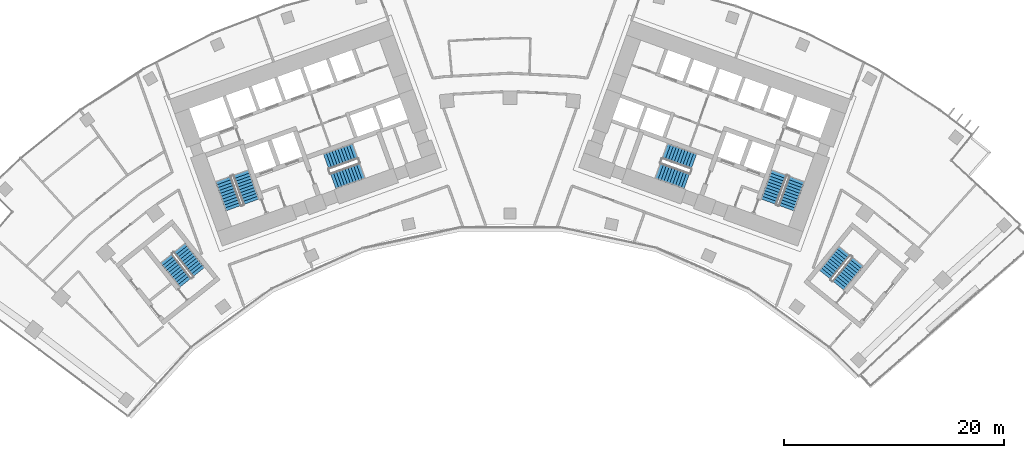
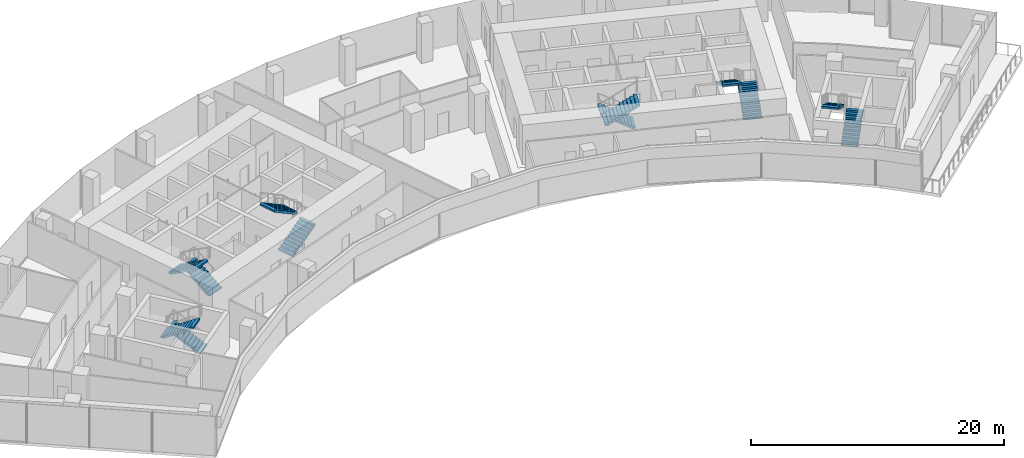
# One storey, part 18 of 20: 12 stair flights, 6 elements without a shape of their own.
"""IFC4 building model written with IfcOpenShell, lengths in metres."""

from ifc_helpers import new_model, si_unit, direction, frame, origin, place, context, subcontext, project, spatial, polyline, outline, extrude, material, type_object, element, aggregate, save


model = new_model("IFC4")

# Units and contexts
model_context = context("Model", 3, precision=1e-05, world=origin(), true_north=direction((0.0, 1.0)))
body_context = subcontext(model_context, "Body", "Model", "MODEL_VIEW")
ifc_project = project(units=[si_unit("LENGTHUNIT", "METRE"), si_unit("AREAUNIT", "SQUARE_METRE"), si_unit("VOLUMEUNIT", "CUBIC_METRE"), si_unit("PLANEANGLEUNIT", "RADIAN"), si_unit("MASSUNIT", "GRAM", prefix="KILO")], contexts=[model_context])

# Site, building, storey
site_placement = place(None, origin())
site = spatial("IfcSite", under=ifc_project, at=site_placement, CompositionType="ELEMENT")
building_placement = place(site_placement, origin())
building = spatial("IfcBuilding", under=site, at=building_placement, Name="Stone Belt Terrace Tower", CompositionType="ELEMENT")
storey_placement = place(building_placement, frame((0.0, 0.0, 182.0)))
storey = spatial("IfcBuildingStorey", under=building, at=storey_placement, Name="L44", CompositionType="ELEMENT", Elevation=182.0)

# Stair, stair flights
ifc_material = material(Name="Concrete B40", Category="concrete")
stair_type = type_object("IfcStairType", Name="Exit stair 1500", PredefinedType="HALF_TURN_STAIR", material=ifc_material)
stair_1_placement = place(storey_placement, origin())
stair_1 = element("IfcStair", 1, at=stair_1_placement, inside=storey, type_object=stair_type, Name="L44 Exit stair 1 core A", PredefinedType="HALF_TURN_STAIR")
stair_flight_type = type_object("IfcStairFlightType", Name="Stair flight 1500", PredefinedType="STRAIGHT", material=ifc_material)
stair_flight_1_placement = place(storey_placement, frame((-23.55322265625, 45.51318359375, 0.0), z_axis=(0.0, 0.0, 1.0), x_axis=(-0.338624396177, 0.940921632398, 0.0)))
stair_flight_1 = element("IfcStairFlight", 2, at=stair_flight_1_placement, type_object=stair_flight_type, Name="ST1A flight 1", NumberOfRisers=11, NumberOfTreads=10, PredefinedType="STRAIGHT", RiserHeight=0.172727273, TreadLength=0.28, context=body_context, shape_type="SweptSolid", body=[
    extrude(outline(polyline([(0.0, 0.0), (0.0, 0.172607421875), (0.280029296875, 0.172607421875), (0.280029296875, 0.345458984375), (0.56005859375, 0.345458984375), (0.56005859375, 0.51806640625), (0.840087890625, 0.51806640625), (0.840087890625, 0.69091796875), (1.1201171875, 0.69091796875), (1.1201171875, 0.863525390625), (1.39990234375, 0.863525390625), (1.39990234375, 1.036376953125), (1.679931640625, 1.036376953125), (1.679931640625, 1.208984375), (1.9599609375, 1.208984375), (1.9599609375, 1.3818359375), (2.239990234375, 1.3818359375), (2.239990234375, 1.554443359375), (2.52001953125, 1.554443359375), (2.52001953125, 1.727294921875), (2.800048828125, 1.727294921875), (2.800048828125, 1.89990234375), (2.800048828125, 1.551025390625), (0.285400390625, 0.0), (0.0, 0.0)])), frame((0.0, 0.75, 0.0), z_axis=(0.0, -1.0, 0.0), x_axis=(1.0, 0.0, 0.0)), (0.0, 0.0, 1.0), 1.5),
])
stair_flight_2_placement = place(storey_placement, frame((-26.10107421875, 47.572021484375, 1.89990234375), z_axis=(0.0, 0.0, 1.0), x_axis=(0.338624396177, -0.940921632398, 0.0)))
stair_flight_2 = element("IfcStairFlight", 3, at=stair_flight_2_placement, type_object=stair_flight_type, Name="ST1A flight 2", NumberOfRisers=11, NumberOfTreads=10, PredefinedType="STRAIGHT", RiserHeight=0.172727273, TreadLength=0.28, context=body_context, shape_type="SweptSolid", body=[
    extrude(outline(polyline([(0.0, 0.0), (0.0, 0.172607421875), (0.280029296875, 0.172607421875), (0.280029296875, 0.345458984375), (0.56005859375, 0.345458984375), (0.56005859375, 0.51806640625), (0.840087890625, 0.51806640625), (0.840087890625, 0.69091796875), (1.1201171875, 0.69091796875), (1.1201171875, 0.863525390625), (1.39990234375, 0.863525390625), (1.39990234375, 1.036376953125), (1.679931640625, 1.036376953125), (1.679931640625, 1.208984375), (1.9599609375, 1.208984375), (1.9599609375, 1.3818359375), (2.239990234375, 1.3818359375), (2.239990234375, 1.554443359375), (2.52001953125, 1.554443359375), (2.52001953125, 1.727294921875), (2.800048828125, 1.727294921875), (2.800048828125, 1.89990234375), (2.800048828125, 1.551025390625), (0.285400390625, 0.0), (0.0, 0.0)])), frame((0.0, 0.75, 0.0), z_axis=(0.0, -1.0, 0.0), x_axis=(1.0, 0.0, 0.0)), (0.0, 0.0, 1.0), 1.5),
])
aggregate(stair_1, [stair_flight_1, stair_flight_2])

stair_2_placement = place(storey_placement, origin())
stair_2 = element("IfcStair", 4, at=stair_2_placement, inside=storey, type_object=stair_type, Name="L44 Exit stair 2 core A", PredefinedType="HALF_TURN_STAIR")
stair_flight_3_placement = place(storey_placement, frame((-16.101318359375, 47.39794921875, 0.0), z_axis=(0.0, 0.0, 1.0), x_axis=(0.940921632398, 0.338624396177, 0.0)))
stair_flight_3 = element("IfcStairFlight", 5, at=stair_flight_3_placement, type_object=stair_flight_type, Name="ST2A flight 1", NumberOfRisers=11, NumberOfTreads=10, PredefinedType="STRAIGHT", RiserHeight=0.172727273, TreadLength=0.28, context=body_context, shape_type="SweptSolid", body=[
    extrude(outline(polyline([(0.0, 0.0), (0.0, 0.172607421875), (0.280029296875, 0.172607421875), (0.280029296875, 0.345458984375), (0.56005859375, 0.345458984375), (0.56005859375, 0.51806640625), (0.840087890625, 0.51806640625), (0.840087890625, 0.69091796875), (1.1201171875, 0.69091796875), (1.1201171875, 0.863525390625), (1.39990234375, 0.863525390625), (1.39990234375, 1.036376953125), (1.679931640625, 1.036376953125), (1.679931640625, 1.208984375), (1.9599609375, 1.208984375), (1.9599609375, 1.3818359375), (2.239990234375, 1.3818359375), (2.239990234375, 1.554443359375), (2.52001953125, 1.554443359375), (2.52001953125, 1.727294921875), (2.800048828125, 1.727294921875), (2.800048828125, 1.89990234375), (2.800048828125, 1.551025390625), (0.285400390625, 0.0), (0.0, 0.0)])), frame((0.0, 0.75, 0.0), z_axis=(0.0, -1.0, 0.0), x_axis=(1.0, 0.0, 0.0)), (0.0, 0.0, 1.0), 1.5),
])
stair_flight_4_placement = place(storey_placement, frame((-14.110107421875, 50.1337890625, 1.89990234375), z_axis=(0.0, 0.0, 1.0), x_axis=(-0.940921632398, -0.338624396177, 0.0)))
stair_flight_4 = element("IfcStairFlight", 6, at=stair_flight_4_placement, type_object=stair_flight_type, Name="ST2A flight 2", NumberOfRisers=11, NumberOfTreads=10, PredefinedType="STRAIGHT", RiserHeight=0.172727273, TreadLength=0.28, context=body_context, shape_type="SweptSolid", body=[
    extrude(outline(polyline([(0.0, 0.0), (0.0, 0.172607421875), (0.280029296875, 0.172607421875), (0.280029296875, 0.345458984375), (0.56005859375, 0.345458984375), (0.56005859375, 0.51806640625), (0.840087890625, 0.51806640625), (0.840087890625, 0.69091796875), (1.1201171875, 0.69091796875), (1.1201171875, 0.863525390625), (1.39990234375, 0.863525390625), (1.39990234375, 1.036376953125), (1.679931640625, 1.036376953125), (1.679931640625, 1.208984375), (1.9599609375, 1.208984375), (1.9599609375, 1.3818359375), (2.239990234375, 1.3818359375), (2.239990234375, 1.554443359375), (2.52001953125, 1.554443359375), (2.52001953125, 1.727294921875), (2.800048828125, 1.727294921875), (2.800048828125, 1.89990234375), (2.800048828125, 1.551025390625), (0.285400390625, 0.0), (0.0, 0.0)])), frame((0.0, 0.75, 0.0), z_axis=(0.0, -1.0, 0.0), x_axis=(1.0, 0.0, 0.0)), (0.0, 0.0, 1.0), 1.5),
])
aggregate(stair_2, [stair_flight_3, stair_flight_4])

stair_3_placement = place(storey_placement, origin())
stair_3 = element("IfcStair", 7, at=stair_3_placement, inside=storey, type_object=stair_type, Name="L44 Exit stair 1 core B", PredefinedType="HALF_TURN_STAIR")
stair_flight_5_placement = place(storey_placement, frame((25.15283203125, 44.9375, 0.0), z_axis=(0.0, 0.0, 1.0), x_axis=(0.338624396177, 0.940921632398, 0.0)))
stair_flight_5 = element("IfcStairFlight", 8, at=stair_flight_5_placement, type_object=stair_flight_type, Name="ST1B flight 1", NumberOfRisers=11, NumberOfTreads=10, PredefinedType="STRAIGHT", RiserHeight=0.172727273, TreadLength=0.28, context=body_context, shape_type="SweptSolid", body=[
    extrude(outline(polyline([(0.0, 0.0), (0.0, 0.172607421875), (0.280029296875, 0.172607421875), (0.280029296875, 0.345458984375), (0.56005859375, 0.345458984375), (0.56005859375, 0.51806640625), (0.840087890625, 0.51806640625), (0.840087890625, 0.69091796875), (1.1201171875, 0.69091796875), (1.1201171875, 0.863525390625), (1.39990234375, 0.863525390625), (1.39990234375, 1.036376953125), (1.679931640625, 1.036376953125), (1.679931640625, 1.208984375), (1.9599609375, 1.208984375), (1.9599609375, 1.3818359375), (2.239990234375, 1.3818359375), (2.239990234375, 1.554443359375), (2.52001953125, 1.554443359375), (2.52001953125, 1.727294921875), (2.800048828125, 1.727294921875), (2.800048828125, 1.89990234375), (2.800048828125, 1.551025390625), (0.285400390625, 0.0), (0.0, 0.0)])), frame((0.0, 0.75, 0.0), z_axis=(0.0, -1.0, 0.0), x_axis=(1.0, 0.0, 0.0)), (0.0, 0.0, 1.0), 1.5),
])
stair_flight_6_placement = place(storey_placement, frame((24.50146484375, 48.147705078125, 1.89990234375), z_axis=(0.0, 0.0, 1.0), x_axis=(-0.338624396177, -0.940921632398, 0.0)))
stair_flight_6 = element("IfcStairFlight", 9, at=stair_flight_6_placement, type_object=stair_flight_type, Name="ST1B flight 2", NumberOfRisers=11, NumberOfTreads=10, PredefinedType="STRAIGHT", RiserHeight=0.172727273, TreadLength=0.28, context=body_context, shape_type="SweptSolid", body=[
    extrude(outline(polyline([(0.0, 0.0), (0.0, 0.172607421875), (0.280029296875, 0.172607421875), (0.280029296875, 0.345458984375), (0.56005859375, 0.345458984375), (0.56005859375, 0.51806640625), (0.840087890625, 0.51806640625), (0.840087890625, 0.69091796875), (1.1201171875, 0.69091796875), (1.1201171875, 0.863525390625), (1.39990234375, 0.863525390625), (1.39990234375, 1.036376953125), (1.679931640625, 1.036376953125), (1.679931640625, 1.208984375), (1.9599609375, 1.208984375), (1.9599609375, 1.3818359375), (2.239990234375, 1.3818359375), (2.239990234375, 1.554443359375), (2.52001953125, 1.554443359375), (2.52001953125, 1.727294921875), (2.800048828125, 1.727294921875), (2.800048828125, 1.89990234375), (2.800048828125, 1.551025390625), (0.285400390625, 0.0), (0.0, 0.0)])), frame((0.0, 0.75, 0.0), z_axis=(0.0, -1.0, 0.0), x_axis=(1.0, 0.0, 0.0)), (0.0, 0.0, 1.0), 1.5),
])
aggregate(stair_3, [stair_flight_5, stair_flight_6])

stair_4_placement = place(storey_placement, origin())
stair_4 = element("IfcStair", 10, at=stair_4_placement, inside=storey, type_object=stair_type, Name="L44 Exit stair 2 core B", PredefinedType="HALF_TURN_STAIR")
stair_flight_7_placement = place(storey_placement, frame((16.74462890625, 49.185546875, 0.0), z_axis=(0.0, 0.0, 1.0), x_axis=(-0.940921632398, 0.338624396177, 0.0)))
stair_flight_7 = element("IfcStairFlight", 11, at=stair_flight_7_placement, type_object=stair_flight_type, Name="ST2B flight 1", NumberOfRisers=11, NumberOfTreads=10, PredefinedType="STRAIGHT", RiserHeight=0.172727273, TreadLength=0.28, context=body_context, shape_type="SweptSolid", body=[
    extrude(outline(polyline([(0.0, 0.0), (0.0, 0.172607421875), (0.280029296875, 0.172607421875), (0.280029296875, 0.345458984375), (0.56005859375, 0.345458984375), (0.56005859375, 0.51806640625), (0.840087890625, 0.51806640625), (0.840087890625, 0.69091796875), (1.1201171875, 0.69091796875), (1.1201171875, 0.863525390625), (1.39990234375, 0.863525390625), (1.39990234375, 1.036376953125), (1.679931640625, 1.036376953125), (1.679931640625, 1.208984375), (1.9599609375, 1.208984375), (1.9599609375, 1.3818359375), (2.239990234375, 1.3818359375), (2.239990234375, 1.554443359375), (2.52001953125, 1.554443359375), (2.52001953125, 1.727294921875), (2.800048828125, 1.727294921875), (2.800048828125, 1.89990234375), (2.800048828125, 1.551025390625), (0.285400390625, 0.0), (0.0, 0.0)])), frame((0.0, 0.75, 0.0), z_axis=(0.0, -1.0, 0.0), x_axis=(1.0, 0.0, 0.0)), (0.0, 0.0, 1.0), 1.5),
])
stair_flight_8_placement = place(storey_placement, frame((13.466796875, 48.345947265625, 1.89990234375), z_axis=(0.0, 0.0, 1.0), x_axis=(0.940921632398, -0.338624396177, 0.0)))
stair_flight_8 = element("IfcStairFlight", 12, at=stair_flight_8_placement, type_object=stair_flight_type, Name="ST2B flight 2", NumberOfRisers=11, NumberOfTreads=10, PredefinedType="STRAIGHT", RiserHeight=0.172727273, TreadLength=0.28, context=body_context, shape_type="SweptSolid", body=[
    extrude(outline(polyline([(0.0, 0.0), (0.0, 0.172607421875), (0.280029296875, 0.172607421875), (0.280029296875, 0.345458984375), (0.56005859375, 0.345458984375), (0.56005859375, 0.51806640625), (0.840087890625, 0.51806640625), (0.840087890625, 0.69091796875), (1.1201171875, 0.69091796875), (1.1201171875, 0.863525390625), (1.39990234375, 0.863525390625), (1.39990234375, 1.036376953125), (1.679931640625, 1.036376953125), (1.679931640625, 1.208984375), (1.9599609375, 1.208984375), (1.9599609375, 1.3818359375), (2.239990234375, 1.3818359375), (2.239990234375, 1.554443359375), (2.52001953125, 1.554443359375), (2.52001953125, 1.727294921875), (2.800048828125, 1.727294921875), (2.800048828125, 1.89990234375), (2.800048828125, 1.551025390625), (0.285400390625, 0.0), (0.0, 0.0)])), frame((0.0, 0.75, 0.0), z_axis=(0.0, -1.0, 0.0), x_axis=(1.0, 0.0, 0.0)), (0.0, 0.0, 1.0), 1.5),
])
aggregate(stair_4, [stair_flight_7, stair_flight_8])

stair_5_placement = place(storey_placement, origin())
stair_5 = element("IfcStair", 13, at=stair_5_placement, inside=storey, type_object=stair_type, Name="L44 Exit stair 3A", PredefinedType="HALF_TURN_STAIR")
stair_flight_9_placement = place(storey_placement, frame((-28.325439453125, 39.1240234375, 0.0), z_axis=(0.0, 0.0, 1.0), x_axis=(-0.623121363691, 0.782125160132, 0.0)))
stair_flight_9 = element("IfcStairFlight", 14, at=stair_flight_9_placement, type_object=stair_flight_type, Name="ST3A flight 1", NumberOfRisers=11, NumberOfTreads=10, PredefinedType="STRAIGHT", RiserHeight=0.172727273, TreadLength=0.28, context=body_context, shape_type="SweptSolid", body=[
    extrude(outline(polyline([(0.0, 0.0), (0.0, 0.172607421875), (0.280029296875, 0.172607421875), (0.280029296875, 0.345458984375), (0.56005859375, 0.345458984375), (0.56005859375, 0.51806640625), (0.840087890625, 0.51806640625), (0.840087890625, 0.69091796875), (1.1201171875, 0.69091796875), (1.1201171875, 0.863525390625), (1.39990234375, 0.863525390625), (1.39990234375, 1.036376953125), (1.679931640625, 1.036376953125), (1.679931640625, 1.208984375), (1.9599609375, 1.208984375), (1.9599609375, 1.3818359375), (2.239990234375, 1.3818359375), (2.239990234375, 1.554443359375), (2.52001953125, 1.554443359375), (2.52001953125, 1.727294921875), (2.800048828125, 1.727294921875), (2.800048828125, 1.89990234375), (2.800048828125, 1.551025390625), (0.285400390625, 0.0), (0.0, 0.0)])), frame((0.0, 0.675048828125, 0.0), z_axis=(0.0, -1.0, 0.0), x_axis=(1.0, 0.0, 0.0)), (0.0, 0.0, 1.0), 1.35009765625),
])
stair_flight_10_placement = place(storey_placement, frame((-31.282470703125, 40.34814453125, 1.89990234375), z_axis=(0.0, 0.0, 1.0), x_axis=(0.623121363691, -0.782125160132, 0.0)))
stair_flight_10 = element("IfcStairFlight", 15, at=stair_flight_10_placement, type_object=stair_flight_type, Name="ST3A flight 2", NumberOfRisers=11, NumberOfTreads=10, PredefinedType="STRAIGHT", RiserHeight=0.172727273, TreadLength=0.28, context=body_context, shape_type="SweptSolid", body=[
    extrude(outline(polyline([(0.0, 0.0), (0.0, 0.172607421875), (0.280029296875, 0.172607421875), (0.280029296875, 0.345458984375), (0.56005859375, 0.345458984375), (0.56005859375, 0.51806640625), (0.840087890625, 0.51806640625), (0.840087890625, 0.69091796875), (1.1201171875, 0.69091796875), (1.1201171875, 0.863525390625), (1.39990234375, 0.863525390625), (1.39990234375, 1.036376953125), (1.679931640625, 1.036376953125), (1.679931640625, 1.208984375), (1.9599609375, 1.208984375), (1.9599609375, 1.3818359375), (2.239990234375, 1.3818359375), (2.239990234375, 1.554443359375), (2.52001953125, 1.554443359375), (2.52001953125, 1.727294921875), (2.800048828125, 1.727294921875), (2.800048828125, 1.89990234375), (2.800048828125, 1.551025390625), (0.285400390625, 0.0), (0.0, 0.0)])), frame((0.0, 0.675048828125, 0.0), z_axis=(0.0, -1.0, 0.0), x_axis=(1.0, 0.0, 0.0)), (0.0, 0.0, 1.0), 1.35009765625),
])
aggregate(stair_5, [stair_flight_9, stair_flight_10])

stair_6_placement = place(storey_placement, origin())
stair_6 = element("IfcStair", 16, at=stair_6_placement, inside=storey, type_object=stair_type, Name="L44 Exit stair 3B", PredefinedType="HALF_TURN_STAIR")
stair_flight_11_placement = place(storey_placement, frame((29.88330078125, 37.887939453125, 0.0), z_axis=(0.0, 0.0, 1.0), x_axis=(0.630205749599, 0.776428176441, 0.0)))
stair_flight_11 = element("IfcStairFlight", 17, at=stair_flight_11_placement, type_object=stair_flight_type, Name="ST3B flight 1", NumberOfRisers=11, NumberOfTreads=10, PredefinedType="STRAIGHT", RiserHeight=0.172727273, TreadLength=0.28, context=body_context, shape_type="SweptSolid", body=[
    extrude(outline(polyline([(0.0, 0.0), (0.0, 0.172607421875), (0.280029296875, 0.172607421875), (0.280029296875, 0.345458984375), (0.56005859375, 0.345458984375), (0.56005859375, 0.51806640625), (0.840087890625, 0.51806640625), (0.840087890625, 0.69091796875), (1.1201171875, 0.69091796875), (1.1201171875, 0.863525390625), (1.39990234375, 0.863525390625), (1.39990234375, 1.036376953125), (1.679931640625, 1.036376953125), (1.679931640625, 1.208984375), (1.9599609375, 1.208984375), (1.9599609375, 1.3818359375), (2.239990234375, 1.3818359375), (2.239990234375, 1.554443359375), (2.52001953125, 1.554443359375), (2.52001953125, 1.727294921875), (2.800048828125, 1.727294921875), (2.800048828125, 1.89990234375), (2.800048828125, 1.551025390625), (0.285400390625, 0.0), (0.0, 0.0)])), frame((0.0, 0.675048828125, 0.0), z_axis=(0.0, -1.0, 0.0), x_axis=(1.0, 0.0, 0.0)), (0.0, 0.0, 1.0), 1.35009765625),
])
stair_flight_12_placement = place(storey_placement, frame((30.4443359375, 41.038818359375, 1.89990234375), z_axis=(0.0, 0.0, 1.0), x_axis=(-0.630205749599, -0.776428176441, 0.0)))
stair_flight_12 = element("IfcStairFlight", 18, at=stair_flight_12_placement, type_object=stair_flight_type, Name="ST3B flight 2", NumberOfRisers=11, NumberOfTreads=10, PredefinedType="STRAIGHT", RiserHeight=0.172727273, TreadLength=0.28, context=body_context, shape_type="SweptSolid", body=[
    extrude(outline(polyline([(0.0, 0.0), (0.0, 0.172607421875), (0.280029296875, 0.172607421875), (0.280029296875, 0.345458984375), (0.56005859375, 0.345458984375), (0.56005859375, 0.51806640625), (0.840087890625, 0.51806640625), (0.840087890625, 0.69091796875), (1.1201171875, 0.69091796875), (1.1201171875, 0.863525390625), (1.39990234375, 0.863525390625), (1.39990234375, 1.036376953125), (1.679931640625, 1.036376953125), (1.679931640625, 1.208984375), (1.9599609375, 1.208984375), (1.9599609375, 1.3818359375), (2.239990234375, 1.3818359375), (2.239990234375, 1.554443359375), (2.52001953125, 1.554443359375), (2.52001953125, 1.727294921875), (2.800048828125, 1.727294921875), (2.800048828125, 1.89990234375), (2.800048828125, 1.551025390625), (0.285400390625, 0.0), (0.0, 0.0)])), frame((0.0, 0.675048828125, 0.0), z_axis=(0.0, -1.0, 0.0), x_axis=(1.0, 0.0, 0.0)), (0.0, 0.0, 1.0), 1.35009765625),
])
aggregate(stair_6, [stair_flight_11, stair_flight_12])

save(model, "model.ifc")
